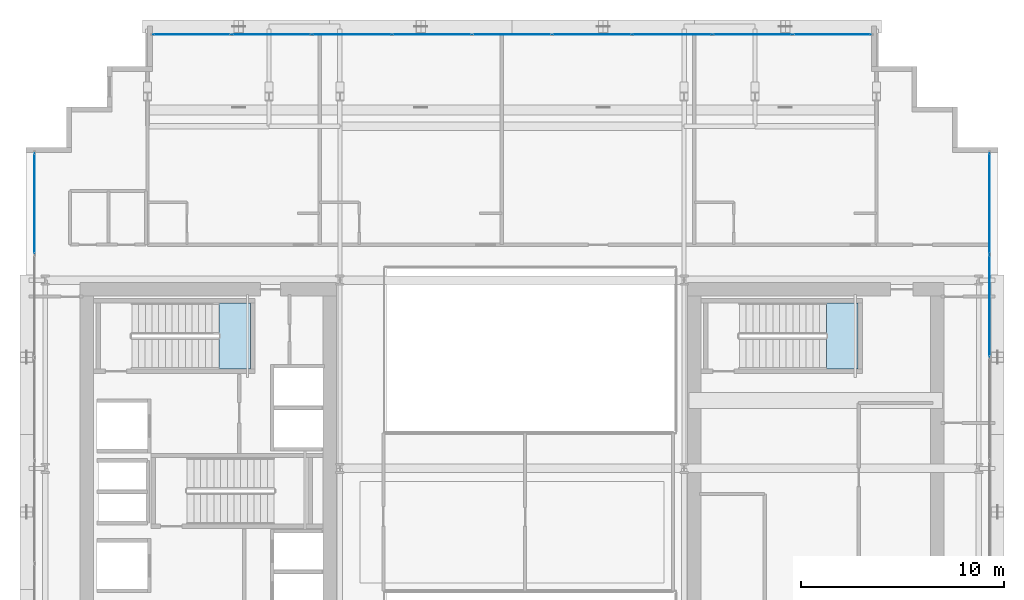
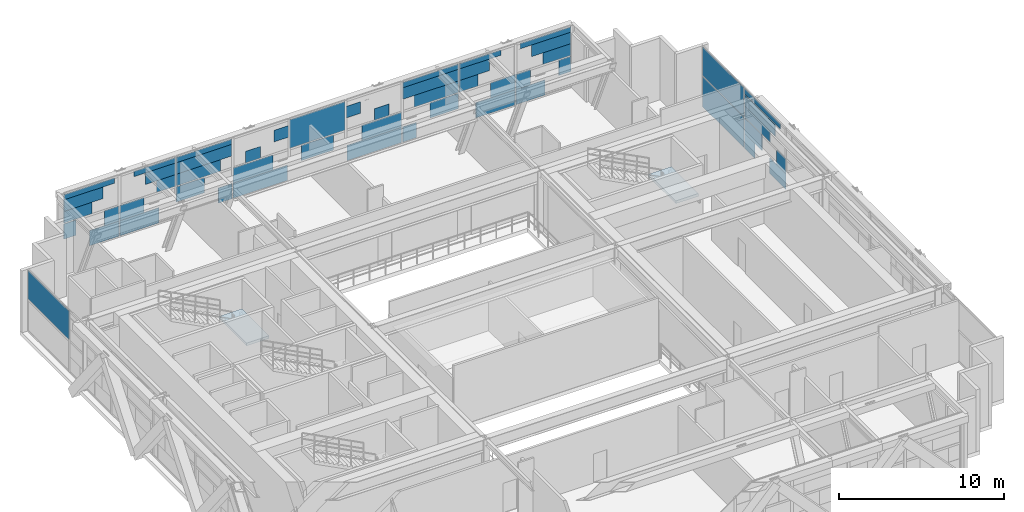
# One storey, part 25 of 35: 52 plates, 2 slabs, 5 elements without a shape of their own.
"""IFC4 building model written with IfcOpenShell, lengths in metres."""

from ifc_helpers import new_model, si_unit, direction, frame, origin, origin_2d, place, context, subcontext, project, spatial, polyline, rectangle, outline, extrude, source, transform, mapped, material, layer, layer_set, type_object, element, aggregate, save


model = new_model("IFC4")

# Units and contexts
model_context = context("Model", 3, precision=1e-05, world=origin(), true_north=direction((0.0, 1.0)))
body_context = subcontext(model_context, "Body", "Model", "MODEL_VIEW")
ifc_project = project(units=[si_unit("LENGTHUNIT", "METRE"), si_unit("AREAUNIT", "SQUARE_METRE"), si_unit("VOLUMEUNIT", "CUBIC_METRE"), si_unit("PLANEANGLEUNIT", "RADIAN"), si_unit("MASSUNIT", "GRAM", prefix="KILO")], contexts=[model_context])

# Site, building, storey
site_placement = place(None, origin())
site = spatial("IfcSite", under=ifc_project, at=site_placement, CompositionType="ELEMENT")
building_placement = place(site_placement, origin())
building = spatial("IfcBuilding", under=site, at=building_placement, Name="Ocotamira Hotel", CompositionType="ELEMENT")
storey_placement = place(building_placement, frame((0.0, 0.0, 158.39990234375)))
storey = spatial("IfcBuildingStorey", under=building, at=storey_placement, Name="L39", CompositionType="ELEMENT", Elevation=158.39990234375)

# Stair, slab
ifc_material_1 = material(Name="Concrete C40/50", Category="concrete")
stair_type = type_object("IfcStairType", Name="ST-CORE-1560", PredefinedType="HALF_TURN_STAIR", material=ifc_material_1)
stair_1_placement = place(storey_placement, origin())
stair_1 = element("IfcStair", 1, at=stair_1_placement, inside=storey, type_object=stair_type, Name="L39 Exit Stair ST-2", PredefinedType="HALF_TURN_STAIR")
ifc_layer_1 = layer(ifc_material_1, 0.199951171875)
ifc_layer_set_1 = layer_set([ifc_layer_1], Name="Concrete C40/50")
slab_type = type_object("IfcSlabType", Name="SLB-LAND-200", PredefinedType="LANDING", material=ifc_layer_set_1)
slab_1_placement = place(storey_placement, frame((0.0, 0.0, 2.2001953125)))
slab_1 = element("IfcSlab", 2, at=slab_1_placement, type_object=slab_type, Name="ST-2 landing 1", PredefinedType="LANDING", context=body_context, shape_type="SweptSolid", body=[
    extrude(outline(polyline([(17.52001953125, 33.050048828125), (19.090087890625, 33.050048828125), (19.090087890625, 36.330078125), (17.52001953125, 36.330078125), (17.52001953125, 33.050048828125)])), origin(), (0.0, 0.0, 1.0), 0.199951171875),
])
aggregate(stair_1, [slab_1])

stair_2_placement = place(storey_placement, origin())
stair_2 = element("IfcStair", 3, at=stair_2_placement, inside=storey, type_object=stair_type, Name="L39 Exit Stair ST-4", PredefinedType="HALF_TURN_STAIR")
slab_2_placement = place(storey_placement, frame((0.0, 0.0, 2.2001953125)))
slab_2 = element("IfcSlab", 4, at=slab_2_placement, type_object=slab_type, Name="ST-4 landing 1", PredefinedType="LANDING", context=body_context, shape_type="SweptSolid", body=[
    extrude(outline(polyline([(47.52001953125, 33.050048828125), (49.090087890625, 33.050048828125), (49.090087890625, 36.330078125), (47.52001953125, 36.330078125), (47.52001953125, 33.050048828125)])), origin(), (0.0, 0.0, 1.0), 0.199951171875),
])
aggregate(stair_2, [slab_2])

# Curtain wall, plate
ifc_material_2 = material(Name="Anodised pale-metal aluminium and solar glass", Category="aluminium")
ifc_layer_2 = layer(ifc_material_2, 0.239990234375)
ifc_layer_set_2 = layer_set([ifc_layer_2], Name="Anodised pale-metal aluminium and solar glass")
curtain_wall_type = type_object("IfcCurtainWallType", Name="CW-SYS5-SKY", PredefinedType="NOTDEFINED", material=ifc_layer_set_2)
curtain_wall_1_placement = place(storey_placement, origin())
curtain_wall_1 = element("IfcCurtainWall", 5, at=curtain_wall_1_placement, inside=storey, type_object=curtain_wall_type, Name="L39 Curtain Wall CW-5 CW-L39-E", PredefinedType="NOTDEFINED")
ifc_material_3 = material(Name="Double-silver low-E insulated solar glass", Category="glass")
ifc_layer_3 = layer(ifc_material_3, 0.031982421875)
ifc_layer_set_3 = layer_set([ifc_layer_3], Name="Double-silver low-E insulated solar glass")
plate_type = type_object("IfcPlateType", Name="CWP-VISION-32", PredefinedType="CURTAIN_PANEL", material=ifc_layer_set_3)
shared_shape_1 = source(origin(), body_context, "Body", "SweptSolid", [
    extrude(rectangle(XDim=4.9658203125, YDim=0.031982421875, at=origin_2d()), origin(), (0.0, 0.0, 1.0), 2.237548828125),
])
plate_1_placement = place(storey_placement, frame((55.580078125, 41.237060546875, 0.0751953125), z_axis=(0.0, 0.0, 1.0), x_axis=(0.0, 1.0, 0.0)))
plate_1 = element("IfcPlate", 6, at=plate_1_placement, type_object=plate_type, Name="CW-5 panel 7.1", PredefinedType="CURTAIN_PANEL", context=body_context, shape_type="MappedRepresentation", body=[
    mapped(shared_shape_1, transform((0.0, 0.0, 0.0), scale=1.0)),
])

# Curtain wall, plates
curtain_wall_2_placement = place(storey_placement, origin())
curtain_wall_2 = element("IfcCurtainWall", 7, at=curtain_wall_2_placement, inside=storey, type_object=curtain_wall_type, Name="L39 Curtain Wall CW-5 CW-L39-N", PredefinedType="NOTDEFINED")
shared_shape_2 = source(origin(), body_context, "Body", "SweptSolid", [
    extrude(rectangle(XDim=0.841796875, YDim=0.031982421875, at=origin_2d()), origin(), (0.0, 0.0, 1.0), 1.118896484375),
])
plate_2_placement = place(storey_placement, frame((14.700927734375, 49.580078125, 1.19384765625), z_axis=(0.0, 0.0, 1.0), x_axis=(1.0, 0.0, 0.0)))
plate_2 = element("IfcPlate", 8, at=plate_2_placement, type_object=plate_type, Name="CW-5 panel 1.1.1", PredefinedType="CURTAIN_PANEL", context=body_context, shape_type="MappedRepresentation", body=[
    mapped(shared_shape_2, transform((0.0, 0.0, 0.0), scale=1.0)),
])
plate_3_placement = place(storey_placement, frame((49.299072265625, 49.580078125, 1.19384765625), z_axis=(0.0, 0.0, 1.0), x_axis=(1.0, 0.0, 0.0)))
plate_3 = element("IfcPlate", 9, at=plate_3_placement, type_object=plate_type, Name="CW-5 panel 9.1.3", PredefinedType="CURTAIN_PANEL", context=body_context, shape_type="MappedRepresentation", body=[
    mapped(shared_shape_2, transform((0.0, 0.0, 0.0), scale=1.0)),
])
shared_shape_3 = source(origin(), body_context, "Body", "SweptSolid", [
    extrude(rectangle(XDim=2.038818359375, YDim=0.031982421875, at=origin_2d()), origin(), (0.0, 0.0, 1.0), 1.118896484375),
])
plate_4_placement = place(storey_placement, frame((17.09619140625, 49.580078125, 0.0751953125), z_axis=(0.0, 0.0, 1.0), x_axis=(1.0, 0.0, 0.0)))
plate_4 = element("IfcPlate", 10, at=plate_4_placement, type_object=plate_type, Name="CW-5 panel 1.1.2", PredefinedType="CURTAIN_PANEL", context=body_context, shape_type="MappedRepresentation", body=[
    mapped(shared_shape_3, transform((0.0, 0.0, 0.0), scale=1.0)),
])
plate_5_placement = place(storey_placement, frame((46.90380859375, 49.580078125, 0.0751953125), z_axis=(0.0, 0.0, 1.0), x_axis=(1.0, 0.0, 0.0)))
plate_5 = element("IfcPlate", 11, at=plate_5_placement, type_object=plate_type, Name="CW-5 panel 9.1.1", PredefinedType="CURTAIN_PANEL", context=body_context, shape_type="MappedRepresentation", body=[
    mapped(shared_shape_3, transform((0.0, 0.0, 0.0), scale=1.0)),
])
shared_shape_4 = source(origin(), body_context, "Body", "SweptSolid", [
    extrude(rectangle(XDim=1.000732421875, YDim=0.031982421875, at=origin_2d()), origin(), (0.0, 0.0, 1.0), 1.118896484375),
])
plate_6_placement = place(storey_placement, frame((17.615234375, 49.580078125, 1.19384765625), z_axis=(0.0, 0.0, 1.0), x_axis=(1.0, 0.0, 0.0)))
plate_6 = element("IfcPlate", 12, at=plate_6_placement, type_object=plate_type, Name="CW-5 panel 1.1.3", PredefinedType="CURTAIN_PANEL", context=body_context, shape_type="MappedRepresentation", body=[
    mapped(shared_shape_4, transform((0.0, 0.0, 0.0), scale=1.0)),
])
plate_7_placement = place(storey_placement, frame((46.384765625, 49.580078125, 1.19384765625), z_axis=(0.0, 0.0, 1.0), x_axis=(1.0, 0.0, 0.0)))
plate_7 = element("IfcPlate", 13, at=plate_7_placement, type_object=plate_type, Name="CW-5 panel 9.1.2", PredefinedType="CURTAIN_PANEL", context=body_context, shape_type="MappedRepresentation", body=[
    mapped(shared_shape_4, transform((0.0, 0.0, 0.0), scale=1.0)),
])
shared_shape_5 = source(origin(), body_context, "Body", "SweptSolid", [
    extrude(rectangle(XDim=1.949462890625, YDim=0.031982421875, at=origin_2d()), origin(), (0.0, 0.0, 1.0), 0.8564453125),
])
plate_8_placement = place(storey_placement, frame((15.2548828125, 49.580078125, 2.3876953125), z_axis=(0.0, 0.0, 1.0), x_axis=(1.0, 0.0, 0.0)))
plate_8 = element("IfcPlate", 14, at=plate_8_placement, type_object=plate_type, Name="CW-5 panel 1.2.1", PredefinedType="CURTAIN_PANEL", context=body_context, shape_type="MappedRepresentation", body=[
    mapped(shared_shape_5, transform((0.0, 0.0, 0.0), scale=1.0)),
])
plate_9_placement = place(storey_placement, frame((48.7451171875, 49.580078125, 2.3876953125), z_axis=(0.0, 0.0, 1.0), x_axis=(1.0, 0.0, 0.0)))
plate_9 = element("IfcPlate", 15, at=plate_9_placement, type_object=plate_type, Name="CW-5 panel 9.2.3", PredefinedType="CURTAIN_PANEL", context=body_context, shape_type="MappedRepresentation", body=[
    mapped(shared_shape_5, transform((0.0, 0.0, 0.0), scale=1.0)),
])
shared_shape_6 = source(origin(), body_context, "Body", "SweptSolid", [
    extrude(rectangle(XDim=2.744140625, YDim=0.031982421875, at=origin_2d()), origin(), (0.0, 0.0, 1.0), 0.8564453125),
])
plate_10_placement = place(storey_placement, frame((15.652099609375, 49.580078125, 3.243896484375), z_axis=(0.0, 0.0, 1.0), x_axis=(1.0, 0.0, 0.0)))
plate_10 = element("IfcPlate", 16, at=plate_10_placement, type_object=plate_type, Name="CW-5 panel 1.2.2", PredefinedType="CURTAIN_PANEL", context=body_context, shape_type="MappedRepresentation", body=[
    mapped(shared_shape_6, transform((0.0, 0.0, 0.0), scale=1.0)),
])
plate_11_placement = place(storey_placement, frame((48.347900390625, 49.580078125, 3.243896484375), z_axis=(0.0, 0.0, 1.0), x_axis=(1.0, 0.0, 0.0)))
plate_11 = element("IfcPlate", 17, at=plate_11_placement, type_object=plate_type, Name="CW-5 panel 9.2.2", PredefinedType="CURTAIN_PANEL", context=body_context, shape_type="MappedRepresentation", body=[
    mapped(shared_shape_6, transform((0.0, 0.0, 0.0), scale=1.0)),
])
shared_shape_7 = source(origin(), body_context, "Body", "SweptSolid", [
    extrude(rectangle(XDim=3.538818359375, YDim=0.031982421875, at=origin_2d()), origin(), (0.0, 0.0, 1.0), 0.394775390625),
])
plate_12_placement = place(storey_placement, frame((16.04931640625, 49.580078125, 4.10009765625), z_axis=(0.0, 0.0, 1.0), x_axis=(1.0, 0.0, 0.0)))
plate_12 = element("IfcPlate", 18, at=plate_12_placement, type_object=plate_type, Name="CW-5 panel 1.2.3", PredefinedType="CURTAIN_PANEL", context=body_context, shape_type="MappedRepresentation", body=[
    mapped(shared_shape_7, transform((0.0, 0.0, 0.0), scale=1.0)),
])
plate_13_placement = place(storey_placement, frame((47.95068359375, 49.580078125, 4.10009765625), z_axis=(0.0, 0.0, 1.0), x_axis=(1.0, 0.0, 0.0)))
plate_13 = element("IfcPlate", 19, at=plate_13_placement, type_object=plate_type, Name="CW-5 panel 9.2.1", PredefinedType="CURTAIN_PANEL", context=body_context, shape_type="MappedRepresentation", body=[
    mapped(shared_shape_7, transform((0.0, 0.0, 0.0), scale=1.0)),
])
shared_shape_8 = source(origin(), body_context, "Body", "SweptSolid", [
    extrude(rectangle(XDim=2.7275390625, YDim=0.031982421875, at=origin_2d()), origin(), (0.0, 0.0, 1.0), 1.118896484375),
])
plate_14_placement = place(storey_placement, frame((19.559326171875, 49.580078125, 0.0751953125), z_axis=(0.0, 0.0, 1.0), x_axis=(1.0, 0.0, 0.0)))
plate_14 = element("IfcPlate", 20, at=plate_14_placement, type_object=plate_type, Name="CW-5 panel 2.1.1", PredefinedType="CURTAIN_PANEL", context=body_context, shape_type="MappedRepresentation", body=[
    mapped(shared_shape_8, transform((0.0, 0.0, 0.0), scale=1.0)),
])
plate_15_placement = place(storey_placement, frame((44.440673828125, 49.580078125, 0.0751953125), z_axis=(0.0, 0.0, 1.0), x_axis=(1.0, 0.0, 0.0)))
plate_15 = element("IfcPlate", 21, at=plate_15_placement, type_object=plate_type, Name="CW-5 panel 8.1.1", PredefinedType="CURTAIN_PANEL", context=body_context, shape_type="MappedRepresentation", body=[
    mapped(shared_shape_8, transform((0.0, 0.0, 0.0), scale=1.0)),
])
shared_shape_9 = source(origin(), body_context, "Body", "SweptSolid", [
    extrude(rectangle(XDim=1.689697265625, YDim=0.031982421875, at=origin_2d()), origin(), (0.0, 0.0, 1.0), 1.118896484375),
])
plate_16_placement = place(storey_placement, frame((19.040283203125, 49.580078125, 1.19384765625), z_axis=(0.0, 0.0, 1.0), x_axis=(1.0, 0.0, 0.0)))
plate_16 = element("IfcPlate", 22, at=plate_16_placement, type_object=plate_type, Name="CW-5 panel 2.1.2", PredefinedType="CURTAIN_PANEL", context=body_context, shape_type="MappedRepresentation", body=[
    mapped(shared_shape_9, transform((0.0, 0.0, 0.0), scale=1.0)),
])
plate_17_placement = place(storey_placement, frame((44.959716796875, 49.580078125, 1.19384765625), z_axis=(0.0, 0.0, 1.0), x_axis=(1.0, 0.0, 0.0)))
plate_17 = element("IfcPlate", 23, at=plate_17_placement, type_object=plate_type, Name="CW-5 panel 8.1.2", PredefinedType="CURTAIN_PANEL", context=body_context, shape_type="MappedRepresentation", body=[
    mapped(shared_shape_9, transform((0.0, 0.0, 0.0), scale=1.0)),
])
shared_shape_10 = source(origin(), body_context, "Body", "SweptSolid", [
    extrude(rectangle(XDim=2.889892578125, YDim=0.031982421875, at=origin_2d()), origin(), (0.0, 0.0, 1.0), 0.394775390625),
])
plate_18_placement = place(storey_placement, frame((20.626220703125, 49.580078125, 4.10009765625), z_axis=(0.0, 0.0, 1.0), x_axis=(1.0, 0.0, 0.0)))
plate_18 = element("IfcPlate", 24, at=plate_18_placement, type_object=plate_type, Name="CW-5 panel 2.2.1", PredefinedType="CURTAIN_PANEL", context=body_context, shape_type="MappedRepresentation", body=[
    mapped(shared_shape_10, transform((0.0, 0.0, 0.0), scale=1.0)),
])
plate_19_placement = place(storey_placement, frame((43.373779296875, 49.580078125, 4.10009765625), z_axis=(0.0, 0.0, 1.0), x_axis=(1.0, 0.0, 0.0)))
plate_19 = element("IfcPlate", 25, at=plate_19_placement, type_object=plate_type, Name="CW-5 panel 8.2.3", PredefinedType="CURTAIN_PANEL", context=body_context, shape_type="MappedRepresentation", body=[
    mapped(shared_shape_10, transform((0.0, 0.0, 0.0), scale=1.0)),
])
shared_shape_11 = source(origin(), body_context, "Body", "SweptSolid", [
    extrude(rectangle(XDim=2.09521484375, YDim=0.031982421875, at=origin_2d()), origin(), (0.0, 0.0, 1.0), 0.8564453125),
])
plate_20_placement = place(storey_placement, frame((21.0234375, 49.580078125, 3.243896484375), z_axis=(0.0, 0.0, 1.0), x_axis=(1.0, 0.0, 0.0)))
plate_20 = element("IfcPlate", 26, at=plate_20_placement, type_object=plate_type, Name="CW-5 panel 2.2.2", PredefinedType="CURTAIN_PANEL", context=body_context, shape_type="MappedRepresentation", body=[
    mapped(shared_shape_11, transform((0.0, 0.0, 0.0), scale=1.0)),
])
plate_21_placement = place(storey_placement, frame((42.9765625, 49.580078125, 3.243896484375), z_axis=(0.0, 0.0, 1.0), x_axis=(1.0, 0.0, 0.0)))
plate_21 = element("IfcPlate", 27, at=plate_21_placement, type_object=plate_type, Name="CW-5 panel 8.2.2", PredefinedType="CURTAIN_PANEL", context=body_context, shape_type="MappedRepresentation", body=[
    mapped(shared_shape_11, transform((0.0, 0.0, 0.0), scale=1.0)),
])
shared_shape_12 = source(origin(), body_context, "Body", "SweptSolid", [
    extrude(rectangle(XDim=1.300537109375, YDim=0.031982421875, at=origin_2d()), origin(), (0.0, 0.0, 1.0), 0.8564453125),
])
plate_22_placement = place(storey_placement, frame((21.4208984375, 49.580078125, 2.3876953125), z_axis=(0.0, 0.0, 1.0), x_axis=(1.0, 0.0, 0.0)))
plate_22 = element("IfcPlate", 28, at=plate_22_placement, type_object=plate_type, Name="CW-5 panel 2.2.3", PredefinedType="CURTAIN_PANEL", context=body_context, shape_type="MappedRepresentation", body=[
    mapped(shared_shape_12, transform((0.0, 0.0, 0.0), scale=1.0)),
])
plate_23_placement = place(storey_placement, frame((42.5791015625, 49.580078125, 2.3876953125), z_axis=(0.0, 0.0, 1.0), x_axis=(1.0, 0.0, 0.0)))
plate_23 = element("IfcPlate", 29, at=plate_23_placement, type_object=plate_type, Name="CW-5 panel 8.2.1", PredefinedType="CURTAIN_PANEL", context=body_context, shape_type="MappedRepresentation", body=[
    mapped(shared_shape_12, transform((0.0, 0.0, 0.0), scale=1.0)),
])
shared_shape_13 = source(origin(), body_context, "Body", "SweptSolid", [
    extrude(rectangle(XDim=1.970703125, YDim=0.031982421875, at=origin_2d()), origin(), (0.0, 0.0, 1.0), 1.118896484375),
])
plate_24_placement = place(storey_placement, frame((23.136474609375, 49.580078125, 1.19384765625), z_axis=(0.0, 0.0, 1.0), x_axis=(1.0, 0.0, 0.0)))
plate_24 = element("IfcPlate", 30, at=plate_24_placement, type_object=plate_type, Name="CW-5 panel 3.1.1", PredefinedType="CURTAIN_PANEL", context=body_context, shape_type="MappedRepresentation", body=[
    mapped(shared_shape_13, transform((0.0, 0.0, 0.0), scale=1.0)),
])
plate_25_placement = place(storey_placement, frame((40.863525390625, 49.580078125, 1.19384765625), z_axis=(0.0, 0.0, 1.0), x_axis=(1.0, 0.0, 0.0)))
plate_25 = element("IfcPlate", 31, at=plate_25_placement, type_object=plate_type, Name="CW-5 panel 7.1.2", PredefinedType="CURTAIN_PANEL", context=body_context, shape_type="MappedRepresentation", body=[
    mapped(shared_shape_13, transform((0.0, 0.0, 0.0), scale=1.0)),
])
shared_shape_14 = source(origin(), body_context, "Body", "SweptSolid", [
    extrude(rectangle(XDim=0.949951171875, YDim=0.031982421875, at=origin_2d()), origin(), (0.0, 0.0, 1.0), 1.118896484375),
])
plate_26_placement = place(storey_placement, frame((25.5517578125, 49.580078125, 0.0751953125), z_axis=(0.0, 0.0, 1.0), x_axis=(1.0, 0.0, 0.0)))
plate_26 = element("IfcPlate", 32, at=plate_26_placement, type_object=plate_type, Name="CW-5 panel 3.1.2", PredefinedType="CURTAIN_PANEL", context=body_context, shape_type="MappedRepresentation", body=[
    mapped(shared_shape_14, transform((0.0, 0.0, 0.0), scale=1.0)),
])
plate_27_placement = place(storey_placement, frame((38.4482421875, 49.580078125, 0.0751953125), z_axis=(0.0, 0.0, 1.0), x_axis=(1.0, 0.0, 0.0)))
plate_27 = element("IfcPlate", 33, at=plate_27_placement, type_object=plate_type, Name="CW-5 panel 7.1.1", PredefinedType="CURTAIN_PANEL", context=body_context, shape_type="MappedRepresentation", body=[
    mapped(shared_shape_14, transform((0.0, 0.0, 0.0), scale=1.0)),
])
shared_shape_15 = source(origin(), body_context, "Body", "SweptSolid", [
    extrude(rectangle(XDim=3.078369140625, YDim=0.031982421875, at=origin_2d()), origin(), (0.0, 0.0, 1.0), 0.8564453125),
])
plate_28_placement = place(storey_placement, frame((23.690185546875, 49.580078125, 2.3876953125), z_axis=(0.0, 0.0, 1.0), x_axis=(1.0, 0.0, 0.0)))
plate_28 = element("IfcPlate", 34, at=plate_28_placement, type_object=plate_type, Name="CW-5 panel 3.2.1", PredefinedType="CURTAIN_PANEL", context=body_context, shape_type="MappedRepresentation", body=[
    mapped(shared_shape_15, transform((0.0, 0.0, 0.0), scale=1.0)),
])
plate_29_placement = place(storey_placement, frame((40.309814453125, 49.580078125, 2.3876953125), z_axis=(0.0, 0.0, 1.0), x_axis=(1.0, 0.0, 0.0)))
plate_29 = element("IfcPlate", 35, at=plate_29_placement, type_object=plate_type, Name="CW-5 panel 7.2.3", PredefinedType="CURTAIN_PANEL", context=body_context, shape_type="MappedRepresentation", body=[
    mapped(shared_shape_15, transform((0.0, 0.0, 0.0), scale=1.0)),
])
shared_shape_16 = source(origin(), body_context, "Body", "SweptSolid", [
    extrude(rectangle(XDim=3.873046875, YDim=0.031982421875, at=origin_2d()), origin(), (0.0, 0.0, 1.0), 0.8564453125),
])
plate_30_placement = place(storey_placement, frame((24.087646484375, 49.580078125, 3.243896484375), z_axis=(0.0, 0.0, 1.0), x_axis=(1.0, 0.0, 0.0)))
plate_30 = element("IfcPlate", 36, at=plate_30_placement, type_object=plate_type, Name="CW-5 panel 3.2.2", PredefinedType="CURTAIN_PANEL", context=body_context, shape_type="MappedRepresentation", body=[
    mapped(shared_shape_16, transform((0.0, 0.0, 0.0), scale=1.0)),
])
plate_31_placement = place(storey_placement, frame((39.912353515625, 49.580078125, 3.243896484375), z_axis=(0.0, 0.0, 1.0), x_axis=(1.0, 0.0, 0.0)))
plate_31 = element("IfcPlate", 37, at=plate_31_placement, type_object=plate_type, Name="CW-5 panel 7.2.2", PredefinedType="CURTAIN_PANEL", context=body_context, shape_type="MappedRepresentation", body=[
    mapped(shared_shape_16, transform((0.0, 0.0, 0.0), scale=1.0)),
])
shared_shape_17 = source(origin(), body_context, "Body", "SweptSolid", [
    extrude(rectangle(XDim=3.87548828125, YDim=0.031982421875, at=origin_2d()), origin(), (0.0, 0.0, 1.0), 0.394775390625),
])
plate_32_placement = place(storey_placement, frame((24.0888671875, 49.580078125, 4.10009765625), z_axis=(0.0, 0.0, 1.0), x_axis=(1.0, 0.0, 0.0)))
plate_32 = element("IfcPlate", 38, at=plate_32_placement, type_object=plate_type, Name="CW-5 panel 3.2.3", PredefinedType="CURTAIN_PANEL", context=body_context, shape_type="MappedRepresentation", body=[
    mapped(shared_shape_17, transform((0.0, 0.0, 0.0), scale=1.0)),
])
plate_33_placement = place(storey_placement, frame((39.9111328125, 49.580078125, 4.10009765625), z_axis=(0.0, 0.0, 1.0), x_axis=(1.0, 0.0, 0.0)))
plate_33 = element("IfcPlate", 39, at=plate_33_placement, type_object=plate_type, Name="CW-5 panel 7.2.1", PredefinedType="CURTAIN_PANEL", context=body_context, shape_type="MappedRepresentation", body=[
    mapped(shared_shape_17, transform((0.0, 0.0, 0.0), scale=1.0)),
])
shared_shape_18 = source(origin(), body_context, "Body", "SweptSolid", [
    extrude(rectangle(XDim=3.81640625, YDim=0.031982421875, at=origin_2d()), origin(), (0.0, 0.0, 1.0), 1.118896484375),
])
plate_34_placement = place(storey_placement, frame((28.014892578125, 49.580078125, 0.0751953125), z_axis=(0.0, 0.0, 1.0), x_axis=(1.0, 0.0, 0.0)))
plate_34 = element("IfcPlate", 40, at=plate_34_placement, type_object=plate_type, Name="CW-5 panel 4.1.1", PredefinedType="CURTAIN_PANEL", context=body_context, shape_type="MappedRepresentation", body=[
    mapped(shared_shape_18, transform((0.0, 0.0, 0.0), scale=1.0)),
])
plate_35_placement = place(storey_placement, frame((35.985107421875, 49.580078125, 0.0751953125), z_axis=(0.0, 0.0, 1.0), x_axis=(1.0, 0.0, 0.0)))
plate_35 = element("IfcPlate", 41, at=plate_35_placement, type_object=plate_type, Name="CW-5 panel 6.1.1", PredefinedType="CURTAIN_PANEL", context=body_context, shape_type="MappedRepresentation", body=[
    mapped(shared_shape_18, transform((0.0, 0.0, 0.0), scale=1.0)),
])
shared_shape_19 = source(origin(), body_context, "Body", "SweptSolid", [
    extrude(rectangle(XDim=2.778564453125, YDim=0.031982421875, at=origin_2d()), origin(), (0.0, 0.0, 1.0), 1.118896484375),
])
plate_36_placement = place(storey_placement, frame((27.495849609375, 49.580078125, 1.19384765625), z_axis=(0.0, 0.0, 1.0), x_axis=(1.0, 0.0, 0.0)))
plate_36 = element("IfcPlate", 42, at=plate_36_placement, type_object=plate_type, Name="CW-5 panel 4.1.2", PredefinedType="CURTAIN_PANEL", context=body_context, shape_type="MappedRepresentation", body=[
    mapped(shared_shape_19, transform((0.0, 0.0, 0.0), scale=1.0)),
])
plate_37_placement = place(storey_placement, frame((36.504150390625, 49.580078125, 1.19384765625), z_axis=(0.0, 0.0, 1.0), x_axis=(1.0, 0.0, 0.0)))
plate_37 = element("IfcPlate", 43, at=plate_37_placement, type_object=plate_type, Name="CW-5 panel 6.1.2", PredefinedType="CURTAIN_PANEL", context=body_context, shape_type="MappedRepresentation", body=[
    mapped(shared_shape_19, transform((0.0, 0.0, 0.0), scale=1.0)),
])
shared_shape_20 = source(origin(), body_context, "Body", "SweptSolid", [
    extrude(rectangle(XDim=1.0419921875, YDim=0.031982421875, at=origin_2d()), origin(), (0.0, 0.0, 1.0), 0.8564453125),
])
plate_38_placement = place(storey_placement, frame((27.5, 49.580078125, 2.3876953125), z_axis=(0.0, 0.0, 1.0), x_axis=(1.0, 0.0, 0.0)))
plate_38 = element("IfcPlate", 44, at=plate_38_placement, type_object=plate_type, Name="CW-5 panel 4.2.1", PredefinedType="CURTAIN_PANEL", context=body_context, shape_type="MappedRepresentation", body=[
    mapped(shared_shape_20, transform((0.0, 0.0, 0.0), scale=1.0)),
])
plate_39_placement = place(storey_placement, frame((36.5, 49.580078125, 2.3876953125), z_axis=(0.0, 0.0, 1.0), x_axis=(1.0, 0.0, 0.0)))
plate_39 = element("IfcPlate", 45, at=plate_39_placement, type_object=plate_type, Name="CW-5 panel 6.2.2", PredefinedType="CURTAIN_PANEL", context=body_context, shape_type="MappedRepresentation", body=[
    mapped(shared_shape_20, transform((0.0, 0.0, 0.0), scale=1.0)),
])
shared_shape_21 = source(origin(), body_context, "Body", "SweptSolid", [
    extrude(rectangle(XDim=1.00634765625, YDim=0.031982421875, at=origin_2d()), origin(), (0.0, 0.0, 1.0), 0.8564453125),
])
plate_40_placement = place(storey_placement, frame((29.47900390625, 49.580078125, 3.243896484375), z_axis=(0.0, 0.0, 1.0), x_axis=(1.0, 0.0, 0.0)))
plate_40 = element("IfcPlate", 46, at=plate_40_placement, type_object=plate_type, Name="CW-5 panel 4.2.2", PredefinedType="CURTAIN_PANEL", context=body_context, shape_type="MappedRepresentation", body=[
    mapped(shared_shape_21, transform((0.0, 0.0, 0.0), scale=1.0)),
])
plate_41_placement = place(storey_placement, frame((34.52099609375, 49.580078125, 3.243896484375), z_axis=(0.0, 0.0, 1.0), x_axis=(1.0, 0.0, 0.0)))
plate_41 = element("IfcPlate", 47, at=plate_41_placement, type_object=plate_type, Name="CW-5 panel 6.2.1", PredefinedType="CURTAIN_PANEL", context=body_context, shape_type="MappedRepresentation", body=[
    mapped(shared_shape_21, transform((0.0, 0.0, 0.0), scale=1.0)),
])
shared_shape_22 = source(origin(), body_context, "Body", "SweptSolid", [
    extrude(rectangle(XDim=2.243896484375, YDim=0.031982421875, at=origin_2d()), origin(), (0.0, 0.0, 1.0), 1.118896484375),
])
plate_42_placement = place(storey_placement, frame((32.0, 49.580078125, 1.19384765625), z_axis=(0.0, 0.0, 1.0), x_axis=(1.0, 0.0, 0.0)))
plate_42 = element("IfcPlate", 48, at=plate_42_placement, type_object=plate_type, Name="CW-5 panel 5.1.1", PredefinedType="CURTAIN_PANEL", context=body_context, shape_type="MappedRepresentation", body=[
    mapped(shared_shape_22, transform((0.0, 0.0, 0.0), scale=1.0)),
])
shared_shape_23 = source(origin(), body_context, "Body", "SweptSolid", [
    extrude(rectangle(XDim=3.87548828125, YDim=0.031982421875, at=origin_2d()), origin(), (0.0, 0.0, 1.0), 2.107421875),
])
plate_43_placement = place(storey_placement, frame((32.0, 49.580078125, 2.3876953125), z_axis=(0.0, 0.0, 1.0), x_axis=(1.0, 0.0, 0.0)))
plate_43 = element("IfcPlate", 49, at=plate_43_placement, type_object=plate_type, Name="CW-5 panel 5.2", PredefinedType="CURTAIN_PANEL", context=body_context, shape_type="MappedRepresentation", body=[
    mapped(shared_shape_23, transform((0.0, 0.0, 0.0), scale=1.0)),
])
aggregate(curtain_wall_2, [plate_2, plate_4, plate_6, plate_8, plate_10, plate_12, plate_14, plate_16, plate_18, plate_20, plate_22, plate_24, plate_26, plate_28, plate_30, plate_32, plate_34, plate_36, plate_38, plate_40, plate_42, plate_43, plate_35, plate_37, plate_41, plate_39, plate_27, plate_25, plate_33, plate_31, plate_29, plate_15, plate_17, plate_23, plate_21, plate_19, plate_5, plate_7, plate_3, plate_13, plate_11, plate_9])

# Curtain wall, plate
curtain_wall_3_placement = place(storey_placement, origin())
curtain_wall_3 = element("IfcCurtainWall", 50, at=curtain_wall_3_placement, inside=storey, type_object=curtain_wall_type, Name="L39 Curtain Wall CW-5 CW-L39-W", PredefinedType="NOTDEFINED")
shared_shape_24 = source(origin(), body_context, "Body", "SweptSolid", [
    extrude(rectangle(XDim=4.9658203125, YDim=0.031982421875, at=origin_2d()), origin(), (0.0, 0.0, 1.0), 2.107421875),
])
plate_44_placement = place(storey_placement, frame((8.419921875, 41.237060546875, 2.3876953125), z_axis=(0.0, 0.0, 1.0), x_axis=(0.0, 1.0, 0.0)))
plate_44 = element("IfcPlate", 51, at=plate_44_placement, type_object=plate_type, Name="CW-5 panel 7.2", PredefinedType="CURTAIN_PANEL", context=body_context, shape_type="MappedRepresentation", body=[
    mapped(shared_shape_24, transform((0.0, 0.0, 0.0), scale=1.0)),
])
aggregate(curtain_wall_3, [plate_44])

# Plate
plate_45_placement = place(storey_placement, frame((55.580078125, 41.237060546875, 2.3876953125), z_axis=(0.0, 0.0, 1.0), x_axis=(0.0, 1.0, 0.0)))
plate_45 = element("IfcPlate", 52, at=plate_45_placement, type_object=plate_type, Name="CW-5 panel 7.2", PredefinedType="CURTAIN_PANEL", context=body_context, shape_type="MappedRepresentation", body=[
    mapped(shared_shape_24, transform((0.0, 0.0, 0.0), scale=1.0)),
])

shared_shape_25 = source(origin(), body_context, "Body", "SweptSolid", [
    extrude(rectangle(XDim=1.2548828125, YDim=0.031982421875, at=origin_2d()), origin(), (0.0, 0.0, 1.0), 1.118896484375),
])
plate_46_placement = place(storey_placement, frame((55.580078125, 38.046875, 0.0751953125), z_axis=(0.0, 0.0, 1.0), x_axis=(0.0, 1.0, 0.0)))
plate_46 = element("IfcPlate", 53, at=plate_46_placement, type_object=plate_type, Name="CW-5 panel 6.1.4", PredefinedType="CURTAIN_PANEL", context=body_context, shape_type="MappedRepresentation", body=[
    mapped(shared_shape_25, transform((0.0, 0.0, 0.0), scale=1.0)),
])

shared_shape_26 = source(origin(), body_context, "Body", "SweptSolid", [
    extrude(rectangle(XDim=2.135498046875, YDim=0.031982421875, at=origin_2d()), origin(), (0.0, 0.0, 1.0), 1.118896484375),
])
plate_47_placement = place(storey_placement, frame((55.580078125, 37.606689453125, 1.19384765625), z_axis=(0.0, 0.0, 1.0), x_axis=(0.0, 1.0, 0.0)))
plate_47 = element("IfcPlate", 54, at=plate_47_placement, type_object=plate_type, Name="CW-5 panel 6.1.3", PredefinedType="CURTAIN_PANEL", context=body_context, shape_type="MappedRepresentation", body=[
    mapped(shared_shape_26, transform((0.0, 0.0, 0.0), scale=1.0)),
])

shared_shape_27 = source(origin(), body_context, "Body", "SweptSolid", [
    extrude(rectangle(XDim=1.9794921875, YDim=0.031982421875, at=origin_2d()), origin(), (0.0, 0.0, 1.0), 1.118896484375),
])
plate_48_placement = place(storey_placement, frame((55.580078125, 34.658447265625, 0.0751953125), z_axis=(0.0, 0.0, 1.0), x_axis=(0.0, 1.0, 0.0)))
plate_48 = element("IfcPlate", 55, at=plate_48_placement, type_object=plate_type, Name="CW-5 panel 6.1.1", PredefinedType="CURTAIN_PANEL", context=body_context, shape_type="MappedRepresentation", body=[
    mapped(shared_shape_27, transform((0.0, 0.0, 0.0), scale=1.0)),
])

shared_shape_28 = source(origin(), body_context, "Body", "SweptSolid", [
    extrude(rectangle(XDim=1.09912109375, YDim=0.031982421875, at=origin_2d()), origin(), (0.0, 0.0, 1.0), 1.118896484375),
])
plate_49_placement = place(storey_placement, frame((55.580078125, 34.21826171875, 1.19384765625), z_axis=(0.0, 0.0, 1.0), x_axis=(0.0, 1.0, 0.0)))
plate_49 = element("IfcPlate", 56, at=plate_49_placement, type_object=plate_type, Name="CW-5 panel 6.1.2", PredefinedType="CURTAIN_PANEL", context=body_context, shape_type="MappedRepresentation", body=[
    mapped(shared_shape_28, transform((0.0, 0.0, 0.0), scale=1.0)),
])

shared_shape_29 = source(origin(), body_context, "Body", "SweptSolid", [
    extrude(rectangle(XDim=3.07470703125, YDim=0.031982421875, at=origin_2d()), origin(), (0.0, 0.0, 1.0), 0.830322265625),
])
plate_50_placement = place(storey_placement, frame((55.580078125, 37.136962890625, 2.3876953125), z_axis=(0.0, 0.0, 1.0), x_axis=(0.0, 1.0, 0.0)))
plate_50 = element("IfcPlate", 57, at=plate_50_placement, type_object=plate_type, Name="CW-5 panel 6.2.3", PredefinedType="CURTAIN_PANEL", context=body_context, shape_type="MappedRepresentation", body=[
    mapped(shared_shape_29, transform((0.0, 0.0, 0.0), scale=1.0)),
])

shared_shape_30 = source(origin(), body_context, "Body", "SweptSolid", [
    extrude(rectangle(XDim=3.728271484375, YDim=0.031982421875, at=origin_2d()), origin(), (0.0, 0.0, 1.0), 0.830322265625),
])
plate_51_placement = place(storey_placement, frame((55.580078125, 36.810302734375, 3.21826171875), z_axis=(0.0, 0.0, 1.0), x_axis=(0.0, 1.0, 0.0)))
plate_51 = element("IfcPlate", 58, at=plate_51_placement, type_object=plate_type, Name="CW-5 panel 6.2.2", PredefinedType="CURTAIN_PANEL", context=body_context, shape_type="MappedRepresentation", body=[
    mapped(shared_shape_30, transform((0.0, 0.0, 0.0), scale=1.0)),
])

shared_shape_31 = source(origin(), body_context, "Body", "SweptSolid", [
    extrude(rectangle(XDim=4.34521484375, YDim=0.031982421875, at=origin_2d()), origin(), (0.0, 0.0, 1.0), 0.371826171875),
])
plate_52_placement = place(storey_placement, frame((55.580078125, 36.501708984375, 4.123046875), z_axis=(0.0, 0.0, 1.0), x_axis=(0.0, 1.0, 0.0)))
plate_52 = element("IfcPlate", 59, at=plate_52_placement, type_object=plate_type, Name="CW-5 panel 6.2.1", PredefinedType="CURTAIN_PANEL", context=body_context, shape_type="MappedRepresentation", body=[
    mapped(shared_shape_31, transform((0.0, 0.0, 0.0), scale=1.0)),
])

aggregate(curtain_wall_1, [plate_48, plate_49, plate_47, plate_46, plate_52, plate_51, plate_50, plate_1, plate_45])

save(model, "model.ifc")
